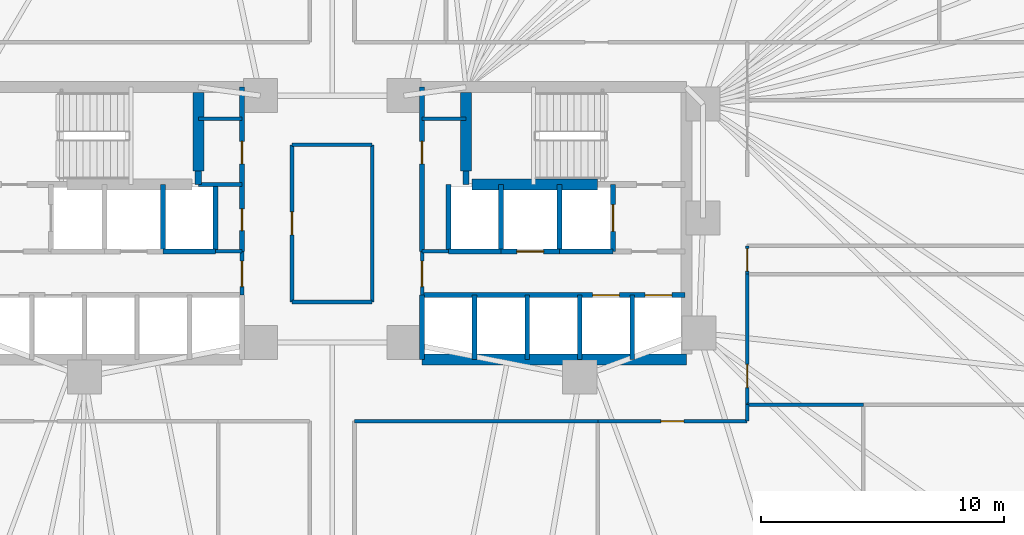
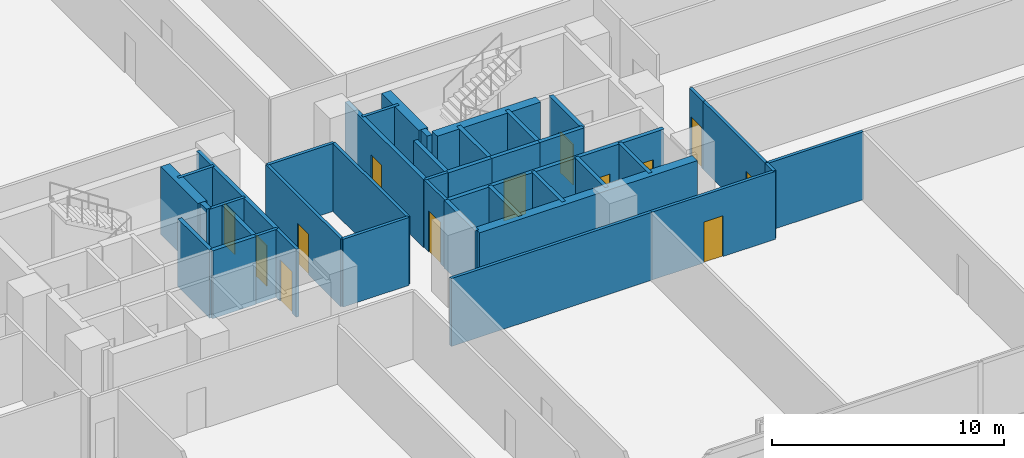
# One storey, part 13 of 17: 41 walls, 13 doors, 13 openings.
"""IFC4 building model written with IfcOpenShell, lengths in metres."""

from ifc_helpers import new_model, si_unit, direction, frame, frame_2d, origin, place, context, subcontext, project, spatial, rectangle, extrude, material, layer, layer_set, type_object, element, fill, save


model = new_model("IFC4")

# Units and contexts
model_context = context("Model", 3, precision=1e-05, world=origin(), true_north=direction((0.0, 1.0)))
body_context = subcontext(model_context, "Body", "Model", "MODEL_VIEW")
ifc_project = project(units=[si_unit("LENGTHUNIT", "METRE"), si_unit("AREAUNIT", "SQUARE_METRE"), si_unit("VOLUMEUNIT", "CUBIC_METRE"), si_unit("PLANEANGLEUNIT", "RADIAN"), si_unit("MASSUNIT", "GRAM", prefix="KILO")], contexts=[model_context])

# Site, building, storey
site_placement = place(None, origin())
site = spatial("IfcSite", under=ifc_project, at=site_placement, CompositionType="ELEMENT")
building_placement = place(site_placement, origin())
building = spatial("IfcBuilding", under=site, at=building_placement, Name="Menara Jurai Vektor", CompositionType="ELEMENT")
storey_placement = place(building_placement, frame((0.0, 0.0, 29.39990234375)))
storey = spatial("IfcBuildingStorey", under=building, at=storey_placement, Name="L06", CompositionType="ELEMENT", Elevation=29.39990234375)

# Walls
ifc_material_1 = material(Name="Concrete C40/50", Category="concrete")
ifc_layer_1 = layer(ifc_material_1, 0.25)
ifc_layer_set_1 = layer_set([ifc_layer_1], Name="Concrete C40/50")
wall_type_1 = type_object("IfcWallType", Name="INT-WALL-CORE-250", PredefinedType="STANDARD", material=ifc_layer_set_1)
for number, where, z_axis, x_axis, name in (
    (1, (-5.5, 1.60009765625, 0.0), (0.0, 0.0, 1.0), (0.0, 1.0, 0.0), "Interior Wall IW-250 L06"),
    (2, (5.5, 1.60009765625, 0.0), (0.0, 0.0, 1.0), (0.0, 1.0, 0.0), "Interior Wall IW-250 L06"),
):
    element("IfcWall", number, at=place(storey_placement, frame(where, z_axis=z_axis, x_axis=x_axis)), inside=storey, type_object=wall_type_1, Name=name, PredefinedType="STANDARD", context=body_context, shape_type="SweptSolid", body=[
        extrude(rectangle(XDim=0.5498046875, YDim=0.25, at=frame_2d((0.27490234375, 0.0))), origin(), (0.0, 0.0, 1.0), 3.5751953125),
    ])

# Wall, opening, door
wall_1_placement = place(storey_placement, frame((11.550048828125, -1.14990234375, 0.0), z_axis=(0.0, 0.0, 1.0), x_axis=(0.0, 1.0, 0.0)))
wall_1 = element("IfcWall", 3, at=wall_1_placement, inside=storey, type_object=wall_type_1, Name="Interior Wall IW-250 L06", PredefinedType="STANDARD", context=body_context, shape_type="SweptSolid", body=[
    extrude(rectangle(XDim=2.75, YDim=0.199951171875, at=frame_2d((1.375, 0.0))), origin(), (0.0, 0.0, 1.0), 3.5751953125),
])
opening_1_placement = place(wall_1_placement, frame((0.824951171875, 0.0, 0.0)))
opening_1 = element("IfcOpeningElement", 4, at=opening_1_placement, cuts=wall_1, Name="Opening LD-L06-FL2", PredefinedType="OPENING", context=body_context, shape_type="SweptSolid", body=[
    extrude(rectangle(XDim=1.10009765625, YDim=2.14990234375, at=frame_2d((0.550048828125, 1.074951171875))), frame((0.0, 0.10986328125, 0.0), z_axis=(0.0, -1.0, 0.0), x_axis=(1.0, 0.0, 0.0)), (0.0, 0.0, 1.0), 0.219970703125),
])
ifc_material_2 = material(Name="Stainless Steel Sliding Lift Landing Door", Category="steel")
door_type_1 = type_object("IfcDoorType", Name="DR-LIFT-FIRE-1100", OperationType="NOTDEFINED", PredefinedType="DOOR", material=ifc_material_2)
door_1_placement = place(opening_1_placement, origin())
door_1 = element("IfcDoor", 5, at=door_1_placement, inside=storey, type_object=door_type_1, Name="Lift Landing Door FL2 L06", OperationType="SLIDING_TO_RIGHT", OverallHeight=2.14990234375, OverallWidth=1.10009765625, PredefinedType="DOOR", context=body_context, shape_type="SweptSolid", body=[
    extrude(rectangle(XDim=1.10009765625, YDim=2.14990234375, at=frame_2d((0.550048828125, 1.074951171875))), frame((0.0, 0.02490234375, 0.0), z_axis=(0.0, -1.0, 0.0), x_axis=(1.0, 0.0, 0.0)), (0.0, 0.0, 1.0), 0.050048828125),
])
fill(opening_1, door_1)

# Walls
wall_2_placement = place(storey_placement, frame((9.35009765625, -1.14990234375, 0.0), z_axis=(0.0, 0.0, 1.0), x_axis=(0.0, 1.0, 0.0)))
element("IfcWall", 6, at=wall_2_placement, inside=storey, type_object=wall_type_1, Name="Interior Wall IW-250 L06", PredefinedType="STANDARD", context=body_context, shape_type="SweptSolid", body=[
    extrude(rectangle(XDim=2.75, YDim=0.199951171875, at=frame_2d((1.375, 0.0))), origin(), (0.0, 0.0, 1.0), 3.5751953125),
])
wall_3_placement = place(storey_placement, frame((9.35009765625, -1.14990234375, 0.0), z_axis=(0.0, 0.0, 1.0), x_axis=(1.0, 0.0, 0.0)))
element("IfcWall", 7, at=wall_3_placement, inside=storey, type_object=wall_type_1, Name="Interior Wall IW-250 L06", PredefinedType="STANDARD", context=body_context, shape_type="SweptSolid", body=[
    extrude(rectangle(XDim=2.199951171875, YDim=0.199951171875, at=frame_2d((1.10009765625, 0.0))), origin(), (0.0, 0.0, 1.0), 3.5751953125),
])

# Wall, opening, door
ifc_material_3 = material(Name="Gypsum Fireboard Partition", Category="gypsum")
ifc_layer_2 = layer(ifc_material_3, 0.14990234375)
ifc_layer_set_2 = layer_set([ifc_layer_2], Name="Gypsum Fireboard Partition")
wall_type_2 = type_object("IfcWallType", Name="INT-WALL-CORR-150", PredefinedType="PARTITIONING", material=ifc_layer_set_2)
wall_4_placement = place(storey_placement, frame((-3.699951171875, -2.949951171875, 0.0), z_axis=(0.0, 0.0, 1.0), x_axis=(0.0, 1.0, 0.0)))
wall_4 = element("IfcWall", 8, at=wall_4_placement, inside=storey, type_object=wall_type_2, Name="Interior Wall IW-150 L06", PredefinedType="PARTITIONING", context=body_context, shape_type="SweptSolid", body=[
    extrude(rectangle(XDim=1.800048828125, YDim=0.14990234375, at=frame_2d((0.89990234375, 0.0))), origin(), (0.0, 0.0, 1.0), 3.5751953125),
])
opening_2_placement = place(wall_4_placement, frame((0.35009765625, 0.0, 0.0)))
opening_2 = element("IfcOpeningElement", 9, at=opening_2_placement, cuts=wall_4, Name="Opening D-L06-LLW", PredefinedType="OPENING", context=body_context, shape_type="SweptSolid", body=[
    extrude(rectangle(XDim=1.050048828125, YDim=2.179931640625, at=frame_2d((0.52490234375, 1.08984375))), frame((0.0, 0.0849609375, 0.0), z_axis=(0.0, -1.0, 0.0), x_axis=(1.0, 0.0, 0.0)), (0.0, 0.0, 1.0), 0.169921875),
])
ifc_material_4 = material(Name="Fire-Rated Timber Door", Category="wood")
door_type_2 = type_object("IfcDoorType", Name="DR-LOBBY-1050", OperationType="NOTDEFINED", PredefinedType="DOOR", material=ifc_material_4)
door_2_placement = place(opening_2_placement, origin())
door_2 = element("IfcDoor", 10, at=door_2_placement, inside=storey, type_object=door_type_2, Name="Lift Lobby Corridor Door W L06", OperationType="SINGLE_SWING_LEFT", OverallHeight=2.179931640625, OverallWidth=1.050048828125, PredefinedType="DOOR", context=body_context, shape_type="SweptSolid", body=[
    extrude(rectangle(XDim=1.050048828125, YDim=2.179931640625, at=frame_2d((0.52490234375, 1.08984375))), frame((0.0, 0.02490234375, 0.0), z_axis=(0.0, -1.0, 0.0), x_axis=(1.0, 0.0, 0.0)), (0.0, 0.0, 1.0), 0.050048828125),
])
fill(opening_2, door_2)

# Wall
wall_5_placement = place(storey_placement, frame((-4.7900390625, -1.14990234375, 0.0), z_axis=(0.0, 0.0, 1.0), x_axis=(1.0, 0.0, 0.0)))
element("IfcWall", 11, at=wall_5_placement, inside=storey, type_object=wall_type_2, Name="Interior Wall IW-150 L06", PredefinedType="PARTITIONING", context=body_context, shape_type="SweptSolid", body=[
    extrude(rectangle(XDim=1.090087890625, YDim=0.14990234375, at=frame_2d((0.544921875, 0.0))), origin(), (0.0, 0.0, 1.0), 3.5751953125),
])

# Wall, opening, door
wall_6_placement = place(storey_placement, frame((3.699951171875, -2.949951171875, 0.0), z_axis=(0.0, 0.0, 1.0), x_axis=(0.0, 1.0, 0.0)))
wall_6 = element("IfcWall", 12, at=wall_6_placement, inside=storey, type_object=wall_type_2, Name="Interior Wall IW-150 L06", PredefinedType="PARTITIONING", context=body_context, shape_type="SweptSolid", body=[
    extrude(rectangle(XDim=1.800048828125, YDim=0.14990234375, at=frame_2d((0.89990234375, 0.0))), origin(), (0.0, 0.0, 1.0), 3.5751953125),
])
opening_3_placement = place(wall_6_placement, frame((0.35009765625, 0.0, 0.0)))
opening_3 = element("IfcOpeningElement", 13, at=opening_3_placement, cuts=wall_6, Name="Opening D-L06-LLE", PredefinedType="OPENING", context=body_context, shape_type="SweptSolid", body=[
    extrude(rectangle(XDim=1.050048828125, YDim=2.179931640625, at=frame_2d((0.52490234375, 1.08984375))), frame((0.0, 0.0849609375, 0.0), z_axis=(0.0, -1.0, 0.0), x_axis=(1.0, 0.0, 0.0)), (0.0, 0.0, 1.0), 0.169921875),
])
door_3_placement = place(opening_3_placement, frame((1.050048828125, 0.0, 0.0), z_axis=(0.0, 0.0, 1.0), x_axis=(-1.0, 0.0, 0.0)))
door_3 = element("IfcDoor", 14, at=door_3_placement, inside=storey, type_object=door_type_2, Name="Lift Lobby Corridor Door E L06", OperationType="SINGLE_SWING_RIGHT", OverallHeight=2.179931640625, OverallWidth=1.050048828125, PredefinedType="DOOR", context=body_context, shape_type="SweptSolid", body=[
    extrude(rectangle(XDim=1.050048828125, YDim=2.179931640625, at=frame_2d((0.52490234375, 1.08984375))), frame((0.0, 0.02490234375, 0.0), z_axis=(0.0, -1.0, 0.0), x_axis=(1.0, 0.0, 0.0)), (0.0, 0.0, 1.0), 0.050048828125),
])
fill(opening_3, door_3)

# Walls
wall_7_placement = place(storey_placement, frame((3.699951171875, -1.14990234375, 0.0), z_axis=(0.0, 0.0, 1.0), x_axis=(1.0, 0.0, 0.0)))
element("IfcWall", 15, at=wall_7_placement, inside=storey, type_object=wall_type_2, Name="Interior Wall IW-150 L06", PredefinedType="PARTITIONING", context=body_context, shape_type="SweptSolid", body=[
    extrude(rectangle(XDim=1.090087890625, YDim=0.14990234375, at=frame_2d((0.544921875, 0.0))), origin(), (0.0, 0.0, 1.0), 3.5751953125),
])
for number, where, z_axis, x_axis, name in (
    (16, (-5.5, 4.300048828125, 0.0), (0.0, 0.0, 1.0), (1.0, 0.0, 0.0), "Interior Wall IW-150 L06"),
    (17, (-5.5, 1.60009765625, 0.0), (0.0, 0.0, 1.0), (1.0, 0.0, 0.0), "Interior Wall IW-150 L06"),
    (18, (3.699951171875, 4.300048828125, 0.0), (0.0, 0.0, 1.0), (1.0, 0.0, 0.0), "Interior Wall IW-150 L06"),
):
    element("IfcWall", number, at=place(storey_placement, frame(where, z_axis=z_axis, x_axis=x_axis)), inside=storey, type_object=wall_type_2, Name=name, PredefinedType="PARTITIONING", context=body_context, shape_type="SweptSolid", body=[
        extrude(rectangle(XDim=1.800048828125, YDim=0.14990234375, at=frame_2d((0.89990234375, 0.0))), origin(), (0.0, 0.0, 1.0), 3.5751953125),
    ])

# Wall, opening, door
wall_8_placement = place(storey_placement, frame((-1.64990234375, -3.22998046875, 0.0), z_axis=(0.0, 0.0, 1.0), x_axis=(0.0, 1.0, 0.0)))
wall_8 = element("IfcWall", 19, at=wall_8_placement, inside=storey, type_object=wall_type_2, Name="Interior Wall IW-150 L06", PredefinedType="PARTITIONING", context=body_context, shape_type="SweptSolid", body=[
    extrude(rectangle(XDim=6.4599609375, YDim=0.14990234375, at=frame_2d((3.22998046875, 0.0))), origin(), (0.0, 0.0, 1.0), 3.5751953125),
])
opening_4_placement = place(wall_8_placement, frame((2.7548828125, 0.0, 0.0)))
opening_4 = element("IfcOpeningElement", 20, at=opening_4_placement, cuts=wall_8, Name="Opening D06-04", PredefinedType="OPENING", context=body_context, shape_type="SweptSolid", body=[
    extrude(rectangle(XDim=0.949951171875, YDim=2.14990234375, at=frame_2d((0.47509765625, 1.074951171875))), frame((0.0, 0.0849609375, 0.0), z_axis=(0.0, -1.0, 0.0), x_axis=(1.0, 0.0, 0.0)), (0.0, 0.0, 1.0), 0.169921875),
])
ifc_material_5 = material(Name="Solid Core Timber Fire Door", Category="wood")
door_type_3 = type_object("IfcDoorType", Name="DR-ENTRY-950", OperationType="NOTDEFINED", PredefinedType="DOOR", material=ifc_material_5)
door_4_placement = place(opening_4_placement, origin())
door_4 = element("IfcDoor", 21, at=door_4_placement, inside=storey, type_object=door_type_3, Name="Interior Door D06-04", OperationType="SINGLE_SWING_LEFT", OverallHeight=2.14990234375, OverallWidth=0.949951171875, PredefinedType="DOOR", context=body_context, shape_type="SweptSolid", body=[
    extrude(rectangle(XDim=0.949951171875, YDim=2.14990234375, at=frame_2d((0.47509765625, 1.074951171875))), frame((0.0, 0.02490234375, 0.0), z_axis=(0.0, -1.0, 0.0), x_axis=(1.0, 0.0, 0.0)), (0.0, 0.0, 1.0), 0.050048828125),
])
fill(opening_4, door_4)

# Walls
for number, where, z_axis, x_axis, name in (
    (22, (-1.64990234375, -3.22998046875, 0.0), (0.0, 0.0, 1.0), (1.0, 0.0, 0.0), "Interior Wall IW-150 L06"),
    (23, (-1.64990234375, 3.22998046875, 0.0), (0.0, 0.0, 1.0), (1.0, 0.0, 0.0), "Interior Wall IW-150 L06"),
):
    element("IfcWall", number, at=place(storey_placement, frame(where, z_axis=z_axis, x_axis=x_axis)), inside=storey, type_object=wall_type_2, Name=name, PredefinedType="PARTITIONING", context=body_context, shape_type="SweptSolid", body=[
        extrude(rectangle(XDim=3.2998046875, YDim=0.14990234375, at=frame_2d((1.64990234375, 0.0))), origin(), (0.0, 0.0, 1.0), 3.5751953125),
    ])
wall_9_placement = place(storey_placement, frame((1.64990234375, -3.22998046875, 0.0), z_axis=(0.0, 0.0, 1.0), x_axis=(0.0, 1.0, 0.0)))
element("IfcWall", 24, at=wall_9_placement, inside=storey, type_object=wall_type_2, Name="Interior Wall IW-150 L06", PredefinedType="PARTITIONING", context=body_context, shape_type="SweptSolid", body=[
    extrude(rectangle(XDim=6.4599609375, YDim=0.14990234375, at=frame_2d((3.22998046875, 0.0))), origin(), (0.0, 0.0, 1.0), 3.5751953125),
])
wall_10_placement = place(storey_placement, frame((0.919921875, -8.1298828125, 0.0), z_axis=(0.0, 0.0, 1.0), x_axis=(1.0, 0.0, 0.0)))
element("IfcWall", 25, at=wall_10_placement, inside=storey, type_object=wall_type_2, Name="Interior Wall IW-150 L06", PredefinedType="PARTITIONING", context=body_context, shape_type="SweptSolid", body=[
    extrude(rectangle(XDim=10.0, YDim=0.14990234375, at=frame_2d((5.0, 0.0))), origin(), (0.0, 0.0, 1.0), 3.5751953125),
])

# Wall, opening, door
wall_11_placement = place(storey_placement, frame((10.919921875, -8.1298828125, 0.0), z_axis=(0.0, 0.0, 1.0), x_axis=(1.0, 0.0, 0.0)))
wall_11 = element("IfcWall", 26, at=wall_11_placement, inside=storey, type_object=wall_type_2, Name="Interior Wall IW-150 L06", PredefinedType="PARTITIONING", context=body_context, shape_type="SweptSolid", body=[
    extrude(rectangle(XDim=6.13916015625, YDim=0.14990234375, at=frame_2d((3.069580078125, 0.0))), origin(), (0.0, 0.0, 1.0), 3.5751953125),
])
opening_5_placement = place(wall_11_placement, frame((2.594482421875, 0.0, 0.0)))
opening_5 = element("IfcOpeningElement", 27, at=opening_5_placement, cuts=wall_11, Name="Opening D06-12", PredefinedType="OPENING", context=body_context, shape_type="SweptSolid", body=[
    extrude(rectangle(XDim=0.949951171875, YDim=2.14990234375, at=frame_2d((0.47509765625, 1.074951171875))), frame((0.0, 0.0849609375, 0.0), z_axis=(0.0, -1.0, 0.0), x_axis=(1.0, 0.0, 0.0)), (0.0, 0.0, 1.0), 0.169921875),
])
door_5_placement = place(opening_5_placement, origin())
door_5 = element("IfcDoor", 28, at=door_5_placement, inside=storey, type_object=door_type_3, Name="Interior Door D06-12", OperationType="SINGLE_SWING_LEFT", OverallHeight=2.14990234375, OverallWidth=0.949951171875, PredefinedType="DOOR", context=body_context, shape_type="SweptSolid", body=[
    extrude(rectangle(XDim=0.949951171875, YDim=2.14990234375, at=frame_2d((0.47509765625, 1.074951171875))), frame((0.0, 0.02490234375, 0.0), z_axis=(0.0, -1.0, 0.0), x_axis=(1.0, 0.0, 0.0)), (0.0, 0.0, 1.0), 0.050048828125),
])
fill(opening_5, door_5)

# Wall
wall_12_placement = place(storey_placement, frame((17.05908203125, -8.1298828125, 0.0), z_axis=(0.0, 0.0, 1.0), x_axis=(0.0, 1.0, 0.0)))
element("IfcWall", 29, at=wall_12_placement, inside=storey, type_object=wall_type_2, Name="Interior Wall IW-150 L06", PredefinedType="PARTITIONING", context=body_context, shape_type="SweptSolid", body=[
    extrude(rectangle(XDim=0.679931640625, YDim=0.14990234375, at=frame_2d((0.33984375, 0.0))), origin(), (0.0, 0.0, 1.0), 3.5751953125),
])

# Wall, opening, door
wall_13_placement = place(storey_placement, frame((17.05908203125, -7.449951171875, 0.0), z_axis=(0.0, 0.0, 1.0), x_axis=(0.0, 1.0, 0.0)))
wall_13 = element("IfcWall", 30, at=wall_13_placement, inside=storey, type_object=wall_type_2, Name="Interior Wall IW-150 L06", PredefinedType="PARTITIONING", context=body_context, shape_type="SweptSolid", body=[
    extrude(rectangle(XDim=5.364013671875, YDim=0.14990234375, at=frame_2d((2.68212890625, 0.0))), origin(), (0.0, 0.0, 1.0), 3.5751953125),
])
opening_6_placement = place(wall_13_placement, frame((0.705078125, 0.0, 0.0)))
opening_6 = element("IfcOpeningElement", 31, at=opening_6_placement, cuts=wall_13, Name="Opening D06-16", PredefinedType="OPENING", context=body_context, shape_type="SweptSolid", body=[
    extrude(rectangle(XDim=0.949951171875, YDim=2.14990234375, at=frame_2d((0.47509765625, 1.074951171875))), frame((0.0, 0.0849609375, 0.0), z_axis=(0.0, -1.0, 0.0), x_axis=(1.0, 0.0, 0.0)), (0.0, 0.0, 1.0), 0.169921875),
])
door_6_placement = place(opening_6_placement, origin())
door_6 = element("IfcDoor", 32, at=door_6_placement, inside=storey, type_object=door_type_3, Name="Interior Door D06-16", OperationType="SINGLE_SWING_LEFT", OverallHeight=2.14990234375, OverallWidth=0.949951171875, PredefinedType="DOOR", context=body_context, shape_type="SweptSolid", body=[
    extrude(rectangle(XDim=0.949951171875, YDim=2.14990234375, at=frame_2d((0.47509765625, 1.074951171875))), frame((0.0, 0.02490234375, 0.0), z_axis=(0.0, -1.0, 0.0), x_axis=(1.0, 0.0, 0.0)), (0.0, 0.0, 1.0), 0.050048828125),
])
fill(opening_6, door_6)

wall_14_placement = place(storey_placement, frame((17.05908203125, -2.0859375, 0.0), z_axis=(0.0, 0.0, 1.0), x_axis=(0.0, 1.0, 0.0)))
wall_14 = element("IfcWall", 33, at=wall_14_placement, inside=storey, type_object=wall_type_2, Name="Interior Wall IW-150 L06", PredefinedType="PARTITIONING", context=body_context, shape_type="SweptSolid", body=[
    extrude(rectangle(XDim=1.166015625, YDim=0.14990234375, at=frame_2d((0.5830078125, 0.0))), origin(), (0.0, 0.0, 1.0), 3.5751953125),
])
opening_7_placement = place(wall_14_placement, frame((0.1201171875, 0.0, 0.0)))
opening_7 = element("IfcOpeningElement", 34, at=opening_7_placement, cuts=wall_14, Name="Opening D06-17", PredefinedType="OPENING", context=body_context, shape_type="SweptSolid", body=[
    extrude(rectangle(XDim=0.926025390625, YDim=2.14990234375, at=frame_2d((0.462890625, 1.074951171875))), frame((0.0, 0.0849609375, 0.0), z_axis=(0.0, -1.0, 0.0), x_axis=(1.0, 0.0, 0.0)), (0.0, 0.0, 1.0), 0.169921875),
])
door_7_placement = place(opening_7_placement, origin())
door_7 = element("IfcDoor", 35, at=door_7_placement, inside=storey, type_object=door_type_3, Name="Interior Door D06-17", OperationType="SINGLE_SWING_RIGHT", OverallHeight=2.14990234375, OverallWidth=0.926025390625, PredefinedType="DOOR", context=body_context, shape_type="SweptSolid", body=[
    extrude(rectangle(XDim=0.926025390625, YDim=2.14990234375, at=frame_2d((0.462890625, 1.074951171875))), frame((0.0, 0.02490234375, 0.0), z_axis=(0.0, -1.0, 0.0), x_axis=(1.0, 0.0, 0.0)), (0.0, 0.0, 1.0), 0.050048828125),
])
fill(opening_7, door_7)

# Wall
wall_15_placement = place(storey_placement, frame((17.05908203125, -7.449951171875, 0.0), z_axis=(0.0, 0.0, 1.0), x_axis=(1.0, 0.0, 0.0)))
element("IfcWall", 36, at=wall_15_placement, inside=storey, type_object=wall_type_2, Name="Interior Wall IW-150 L06", PredefinedType="PARTITIONING", context=body_context, shape_type="SweptSolid", body=[
    extrude(rectangle(XDim=4.781005859375, YDim=0.14990234375, at=frame_2d((2.390625, 0.0))), origin(), (0.0, 0.0, 1.0), 3.5751953125),
])

# Wall, openings, doors
ifc_layer_3 = layer(ifc_material_1, 0.199951171875)
ifc_layer_set_3 = layer_set([ifc_layer_3], Name="Concrete C40/50")
wall_type_3 = type_object("IfcWallType", Name="INT-WALL-SHAFT-200", PredefinedType="STANDARD", material=ifc_layer_set_3)
wall_16_placement = place(storey_placement, frame((-3.699951171875, -1.14990234375, 0.0), z_axis=(0.0, 0.0, 1.0), x_axis=(0.0, 1.0, 0.0)))
wall_16 = element("IfcWall", 37, at=wall_16_placement, inside=storey, type_object=wall_type_3, Name="Interior Wall IW-200 L06", PredefinedType="STANDARD", context=body_context, shape_type="SweptSolid", body=[
    extrude(rectangle(XDim=6.75, YDim=0.199951171875, at=frame_2d((3.375, 0.0))), origin(), (0.0, 0.0, 1.0), 3.5751953125),
])
opening_8_placement = place(wall_16_placement, frame((3.60009765625, 0.0, 0.0)))
opening_8 = element("IfcOpeningElement", 38, at=opening_8_placement, cuts=wall_16, Name="Opening D06-01", PredefinedType="OPENING", context=body_context, shape_type="SweptSolid", body=[
    extrude(rectangle(XDim=0.919921875, YDim=2.14990234375, at=frame_2d((0.4599609375, 1.074951171875))), frame((0.0, 0.10986328125, 0.0), z_axis=(0.0, -1.0, 0.0), x_axis=(1.0, 0.0, 0.0)), (0.0, 0.0, 1.0), 0.219970703125),
])
opening_9_placement = place(wall_16_placement, frame((0.85009765625, 0.0, 0.0)))
opening_9 = element("IfcOpeningElement", 39, at=opening_9_placement, cuts=wall_16, Name="Opening D06-02", PredefinedType="OPENING", context=body_context, shape_type="SweptSolid", body=[
    extrude(rectangle(XDim=0.89990234375, YDim=2.14990234375, at=frame_2d((0.449951171875, 1.074951171875))), frame((0.0, 0.10986328125, 0.0), z_axis=(0.0, -1.0, 0.0), x_axis=(1.0, 0.0, 0.0)), (0.0, 0.0, 1.0), 0.219970703125),
])
door_8_placement = place(opening_8_placement, origin())
door_8 = element("IfcDoor", 40, at=door_8_placement, inside=storey, type_object=door_type_3, Name="Interior Door D06-01", OperationType="SINGLE_SWING_LEFT", OverallHeight=2.14990234375, OverallWidth=0.919921875, PredefinedType="DOOR", context=body_context, shape_type="SweptSolid", body=[
    extrude(rectangle(XDim=0.919921875, YDim=2.14990234375, at=frame_2d((0.4599609375, 1.074951171875))), frame((0.0, 0.02490234375, 0.0), z_axis=(0.0, -1.0, 0.0), x_axis=(1.0, 0.0, 0.0)), (0.0, 0.0, 1.0), 0.050048828125),
])
fill(opening_8, door_8)
door_9_placement = place(opening_9_placement, origin())
door_9 = element("IfcDoor", 41, at=door_9_placement, inside=storey, type_object=door_type_3, Name="Interior Door D06-02", OperationType="SINGLE_SWING_LEFT", OverallHeight=2.14990234375, OverallWidth=0.89990234375, PredefinedType="DOOR", context=body_context, shape_type="SweptSolid", body=[
    extrude(rectangle(XDim=0.89990234375, YDim=2.14990234375, at=frame_2d((0.449951171875, 1.074951171875))), frame((0.0, 0.02490234375, 0.0), z_axis=(0.0, -1.0, 0.0), x_axis=(1.0, 0.0, 0.0)), (0.0, 0.0, 1.0), 0.050048828125),
])
fill(opening_9, door_9)

# Walls
for number, where, z_axis, x_axis, name in (
    (42, (-6.949951171875, -1.14990234375, 0.0), (0.0, 0.0, 1.0), (0.0, 1.0, 0.0), "Interior Wall IW-200 L06"),
    (43, (-4.7900390625, -1.14990234375, 0.0), (0.0, 0.0, 1.0), (0.0, 1.0, 0.0), "Interior Wall IW-200 L06"),
):
    element("IfcWall", number, at=place(storey_placement, frame(where, z_axis=z_axis, x_axis=x_axis)), inside=storey, type_object=wall_type_3, Name=name, PredefinedType="STANDARD", context=body_context, shape_type="SweptSolid", body=[
        extrude(rectangle(XDim=2.75, YDim=0.199951171875, at=frame_2d((1.375, 0.0))), origin(), (0.0, 0.0, 1.0), 3.5751953125),
    ])
wall_17_placement = place(storey_placement, frame((-6.949951171875, -1.14990234375, 0.0), z_axis=(0.0, 0.0, 1.0), x_axis=(1.0, 0.0, 0.0)))
element("IfcWall", 44, at=wall_17_placement, inside=storey, type_object=wall_type_3, Name="Interior Wall IW-200 L06", PredefinedType="STANDARD", context=body_context, shape_type="SweptSolid", body=[
    extrude(rectangle(XDim=2.159912109375, YDim=0.199951171875, at=frame_2d((1.080078125, 0.0))), origin(), (0.0, 0.0, 1.0), 3.5751953125),
])

# Wall, opening, door
wall_18_placement = place(storey_placement, frame((3.699951171875, -1.14990234375, 0.0), z_axis=(0.0, 0.0, 1.0), x_axis=(0.0, 1.0, 0.0)))
wall_18 = element("IfcWall", 45, at=wall_18_placement, inside=storey, type_object=wall_type_3, Name="Interior Wall IW-200 L06", PredefinedType="STANDARD", context=body_context, shape_type="SweptSolid", body=[
    extrude(rectangle(XDim=6.75, YDim=0.199951171875, at=frame_2d((3.375, 0.0))), origin(), (0.0, 0.0, 1.0), 3.5751953125),
])
opening_10_placement = place(wall_18_placement, frame((3.60009765625, 0.0, 0.0)))
opening_10 = element("IfcOpeningElement", 46, at=opening_10_placement, cuts=wall_18, Name="Opening D06-03", PredefinedType="OPENING", context=body_context, shape_type="SweptSolid", body=[
    extrude(rectangle(XDim=0.919921875, YDim=2.14990234375, at=frame_2d((0.4599609375, 1.074951171875))), frame((0.0, 0.10986328125, 0.0), z_axis=(0.0, -1.0, 0.0), x_axis=(1.0, 0.0, 0.0)), (0.0, 0.0, 1.0), 0.219970703125),
])
door_10_placement = place(opening_10_placement, origin())
door_10 = element("IfcDoor", 47, at=door_10_placement, inside=storey, type_object=door_type_3, Name="Interior Door D06-03", OperationType="SINGLE_SWING_RIGHT", OverallHeight=2.14990234375, OverallWidth=0.919921875, PredefinedType="DOOR", context=body_context, shape_type="SweptSolid", body=[
    extrude(rectangle(XDim=0.919921875, YDim=2.14990234375, at=frame_2d((0.4599609375, 1.074951171875))), frame((0.0, 0.02490234375, 0.0), z_axis=(0.0, -1.0, 0.0), x_axis=(1.0, 0.0, 0.0)), (0.0, 0.0, 1.0), 0.050048828125),
])
fill(opening_10, door_10)

# Walls
wall_19_placement = place(storey_placement, frame((3.699951171875, -5.60009765625, 0.0), z_axis=(0.0, 0.0, 1.0), x_axis=(0.0, 1.0, 0.0)))
element("IfcWall", 48, at=wall_19_placement, inside=storey, type_object=wall_type_3, Name="Interior Wall IW-200 L06", PredefinedType="STANDARD", context=body_context, shape_type="SweptSolid", body=[
    extrude(rectangle(XDim=2.650146484375, YDim=0.199951171875, at=frame_2d((1.3251953125, 0.0))), origin(), (0.0, 0.0, 1.0), 3.5751953125),
])
wall_20_placement = place(storey_placement, frame((6.949951171875, -1.14990234375, 0.0), z_axis=(0.0, 0.0, 1.0), x_axis=(0.0, 1.0, 0.0)))
element("IfcWall", 49, at=wall_20_placement, inside=storey, type_object=wall_type_3, Name="Interior Wall IW-200 L06", PredefinedType="STANDARD", context=body_context, shape_type="SweptSolid", body=[
    extrude(rectangle(XDim=2.75, YDim=0.199951171875, at=frame_2d((1.375, 0.0))), origin(), (0.0, 0.0, 1.0), 3.5751953125),
])

# Wall, opening, door
wall_21_placement = place(storey_placement, frame((6.949951171875, -1.14990234375, 0.0), z_axis=(0.0, 0.0, 1.0), x_axis=(1.0, 0.0, 0.0)))
wall_21 = element("IfcWall", 50, at=wall_21_placement, inside=storey, type_object=wall_type_3, Name="Interior Wall IW-200 L06", PredefinedType="STANDARD", context=body_context, shape_type="SweptSolid", body=[
    extrude(rectangle(XDim=2.400146484375, YDim=0.199951171875, at=frame_2d((1.2001953125, 0.0))), origin(), (0.0, 0.0, 1.0), 3.5751953125),
])
opening_11_placement = place(wall_21_placement, frame((0.64990234375, 0.0, 0.0)))
opening_11 = element("IfcOpeningElement", 51, at=opening_11_placement, cuts=wall_21, Name="Opening LD-L06-SVL2", PredefinedType="OPENING", context=body_context, shape_type="SweptSolid", body=[
    extrude(rectangle(XDim=1.10009765625, YDim=2.14990234375, at=frame_2d((0.550048828125, 1.074951171875))), frame((0.0, 0.10986328125, 0.0), z_axis=(0.0, -1.0, 0.0), x_axis=(1.0, 0.0, 0.0)), (0.0, 0.0, 1.0), 0.219970703125),
])
ifc_material_6 = material(Name="Anodised Stainless Sliding Lift Landing Door", Category="steel")
door_type_4 = type_object("IfcDoorType", Name="DR-LIFT-PASS-1100", OperationType="NOTDEFINED", PredefinedType="DOOR", material=ifc_material_6)
door_11_placement = place(opening_11_placement, origin())
door_11 = element("IfcDoor", 52, at=door_11_placement, inside=storey, type_object=door_type_4, Name="Lift Landing Door SVL2 L06", OperationType="SLIDING_TO_RIGHT", OverallHeight=2.14990234375, OverallWidth=1.10009765625, PredefinedType="DOOR", context=body_context, shape_type="SweptSolid", body=[
    extrude(rectangle(XDim=1.10009765625, YDim=2.14990234375, at=frame_2d((0.550048828125, 1.074951171875))), frame((0.0, 0.02490234375, 0.0), z_axis=(0.0, -1.0, 0.0), x_axis=(1.0, 0.0, 0.0)), (0.0, 0.0, 1.0), 0.050048828125),
])
fill(opening_11, door_11)

# Walls
wall_22_placement = place(storey_placement, frame((4.7900390625, -1.14990234375, 0.0), z_axis=(0.0, 0.0, 1.0), x_axis=(0.0, 1.0, 0.0)))
element("IfcWall", 53, at=wall_22_placement, inside=storey, type_object=wall_type_3, Name="Interior Wall IW-200 L06", PredefinedType="STANDARD", context=body_context, shape_type="SweptSolid", body=[
    extrude(rectangle(XDim=2.75, YDim=0.199951171875, at=frame_2d((1.375, 0.0))), origin(), (0.0, 0.0, 1.0), 3.5751953125),
])
wall_23_placement = place(storey_placement, frame((4.7900390625, -1.14990234375, 0.0), z_axis=(0.0, 0.0, 1.0), x_axis=(1.0, 0.0, 0.0)))
element("IfcWall", 54, at=wall_23_placement, inside=storey, type_object=wall_type_3, Name="Interior Wall IW-200 L06", PredefinedType="STANDARD", context=body_context, shape_type="SweptSolid", body=[
    extrude(rectangle(XDim=2.159912109375, YDim=0.199951171875, at=frame_2d((1.080078125, 0.0))), origin(), (0.0, 0.0, 1.0), 3.5751953125),
])

# Wall, openings, doors
wall_24_placement = place(storey_placement, frame((3.699951171875, -2.949951171875, 0.0), z_axis=(0.0, 0.0, 1.0), x_axis=(1.0, 0.0, 0.0)))
wall_24 = element("IfcWall", 55, at=wall_24_placement, inside=storey, type_object=wall_type_3, Name="Interior Wall IW-200 L06", PredefinedType="STANDARD", context=body_context, shape_type="SweptSolid", body=[
    extrude(rectangle(XDim=10.800048828125, YDim=0.199951171875, at=frame_2d((5.39990234375, 0.0))), origin(), (0.0, 0.0, 1.0), 3.5751953125),
])
opening_12_placement = place(wall_24_placement, frame((7.010009765625, 0.0, 0.0)))
opening_12 = element("IfcOpeningElement", 56, at=opening_12_placement, cuts=wall_24, Name="Opening LD-L06-PL3", PredefinedType="OPENING", context=body_context, shape_type="SweptSolid", body=[
    extrude(rectangle(XDim=1.10009765625, YDim=2.14990234375, at=frame_2d((0.550048828125, 1.074951171875))), frame((0.0, 0.10986328125, 0.0), z_axis=(0.0, -1.0, 0.0), x_axis=(1.0, 0.0, 0.0)), (0.0, 0.0, 1.0), 0.219970703125),
])
opening_13_placement = place(wall_24_placement, frame((9.169921875, 0.0, 0.0)))
opening_13 = element("IfcOpeningElement", 57, at=opening_13_placement, cuts=wall_24, Name="Opening LD-L06-PL4", PredefinedType="OPENING", context=body_context, shape_type="SweptSolid", body=[
    extrude(rectangle(XDim=1.10009765625, YDim=2.14990234375, at=frame_2d((0.550048828125, 1.074951171875))), frame((0.0, 0.10986328125, 0.0), z_axis=(0.0, -1.0, 0.0), x_axis=(1.0, 0.0, 0.0)), (0.0, 0.0, 1.0), 0.219970703125),
])
door_12_placement = place(opening_12_placement, origin())
door_12 = element("IfcDoor", 58, at=door_12_placement, inside=storey, type_object=door_type_4, Name="Lift Landing Door PL3 L06", OperationType="SLIDING_TO_RIGHT", OverallHeight=2.14990234375, OverallWidth=1.10009765625, PredefinedType="DOOR", context=body_context, shape_type="SweptSolid", body=[
    extrude(rectangle(XDim=1.10009765625, YDim=2.14990234375, at=frame_2d((0.550048828125, 1.074951171875))), frame((0.0, 0.02490234375, 0.0), z_axis=(0.0, -1.0, 0.0), x_axis=(1.0, 0.0, 0.0)), (0.0, 0.0, 1.0), 0.050048828125),
])
fill(opening_12, door_12)
door_13_placement = place(opening_13_placement, origin())
door_13 = element("IfcDoor", 59, at=door_13_placement, inside=storey, type_object=door_type_4, Name="Lift Landing Door PL4 L06", OperationType="SLIDING_TO_LEFT", OverallHeight=2.14990234375, OverallWidth=1.10009765625, PredefinedType="DOOR", context=body_context, shape_type="SweptSolid", body=[
    extrude(rectangle(XDim=1.10009765625, YDim=2.14990234375, at=frame_2d((0.550048828125, 1.074951171875))), frame((0.0, 0.02490234375, 0.0), z_axis=(0.0, -1.0, 0.0), x_axis=(1.0, 0.0, 0.0)), (0.0, 0.0, 1.0), 0.050048828125),
])
fill(opening_13, door_13)

# Walls
wall_25_placement = place(storey_placement, frame((5.860107421875, -5.60009765625, 0.0), z_axis=(0.0, 0.0, 1.0), x_axis=(0.0, 1.0, 0.0)))
element("IfcWall", 60, at=wall_25_placement, inside=storey, type_object=wall_type_3, Name="Interior Wall IW-200 L06", PredefinedType="STANDARD", context=body_context, shape_type="SweptSolid", body=[
    extrude(rectangle(XDim=2.650146484375, YDim=0.199951171875, at=frame_2d((1.3251953125, 0.0))), origin(), (0.0, 0.0, 1.0), 3.5751953125),
])
for number, where, z_axis, x_axis, name in (
    (61, (12.340087890625, -5.60009765625, 0.0), (0.0, 0.0, 1.0), (0.0, 1.0, 0.0), "Interior Wall IW-200 L06"),
    (62, (10.179931640625, -5.60009765625, 0.0), (0.0, 0.0, 1.0), (0.0, 1.0, 0.0), "Interior Wall IW-200 L06"),
    (63, (8.02001953125, -5.60009765625, 0.0), (0.0, 0.0, 1.0), (0.0, 1.0, 0.0), "Interior Wall IW-200 L06"),
):
    element("IfcWall", number, at=place(storey_placement, frame(where, z_axis=z_axis, x_axis=x_axis)), inside=storey, type_object=wall_type_3, Name=name, PredefinedType="STANDARD", context=body_context, shape_type="SweptSolid", body=[
        extrude(rectangle(XDim=2.650146484375, YDim=0.179931640625, at=frame_2d((1.3251953125, 0.0))), origin(), (0.0, 0.0, 1.0), 3.5751953125),
    ])
ifc_material_7 = material(Name="Concrete C60/75", Category="concrete")
ifc_layer_4 = layer(ifc_material_7, 0.449951171875)
ifc_layer_set_4 = layer_set([ifc_layer_4], Name="Concrete C60/75")
wall_type_4 = type_object("IfcWallType", Name="STR-WALL-CORE450", PredefinedType="SHEAR", material=ifc_layer_set_4)
wall_26_placement = place(storey_placement, frame((-5.5, 2.14990234375, 0.0), z_axis=(0.0, 0.0, 1.0), x_axis=(0.0, 1.0, 0.0)))
element("IfcWall", 64, at=wall_26_placement, inside=storey, type_object=wall_type_4, Name="Core Shear Wall CW-W-ST L06", PredefinedType="SHEAR", context=body_context, shape_type="SweptSolid", body=[
    extrude(rectangle(XDim=3.22509765625, YDim=0.449951171875, at=frame_2d((1.612548828125, 0.0))), origin(), (0.0, 0.0, 1.0), 3.5751953125),
])
wall_27_placement = place(storey_placement, frame((3.699951171875, -5.60009765625, 0.0), z_axis=(0.0, 0.0, 1.0), x_axis=(1.0, 0.0, 0.0)))
element("IfcWall", 65, at=wall_27_placement, inside=storey, type_object=wall_type_4, Name="Core Shear Wall CW-E-S L06", PredefinedType="SHEAR", context=body_context, shape_type="SweptSolid", body=[
    extrude(rectangle(XDim=10.860107421875, YDim=0.449951171875, at=frame_2d((5.43017578125, 0.0))), origin(), (0.0, 0.0, 1.0), 3.5751953125),
])
wall_28_placement = place(storey_placement, frame((5.5, 2.14990234375, 0.0), z_axis=(0.0, 0.0, 1.0), x_axis=(0.0, 1.0, 0.0)))
element("IfcWall", 66, at=wall_28_placement, inside=storey, type_object=wall_type_4, Name="Core Shear Wall CW-E-ST L06", PredefinedType="SHEAR", context=body_context, shape_type="SweptSolid", body=[
    extrude(rectangle(XDim=3.22509765625, YDim=0.449951171875, at=frame_2d((1.612548828125, 0.0))), origin(), (0.0, 0.0, 1.0), 3.5751953125),
])
wall_29_placement = place(storey_placement, frame((5.75, 1.60009765625, 0.0), z_axis=(0.0, 0.0, 1.0), x_axis=(1.0, 0.0, 0.0)))
element("IfcWall", 67, at=wall_29_placement, inside=storey, type_object=wall_type_4, Name="Core Shear Wall CW-E-STS L06", PredefinedType="SHEAR", context=body_context, shape_type="SweptSolid", body=[
    extrude(rectangle(XDim=5.14990234375, YDim=0.449951171875, at=frame_2d((2.574951171875, 0.0))), origin(), (0.0, 0.0, 1.0), 3.5751953125),
])

save(model, "model.ifc")
